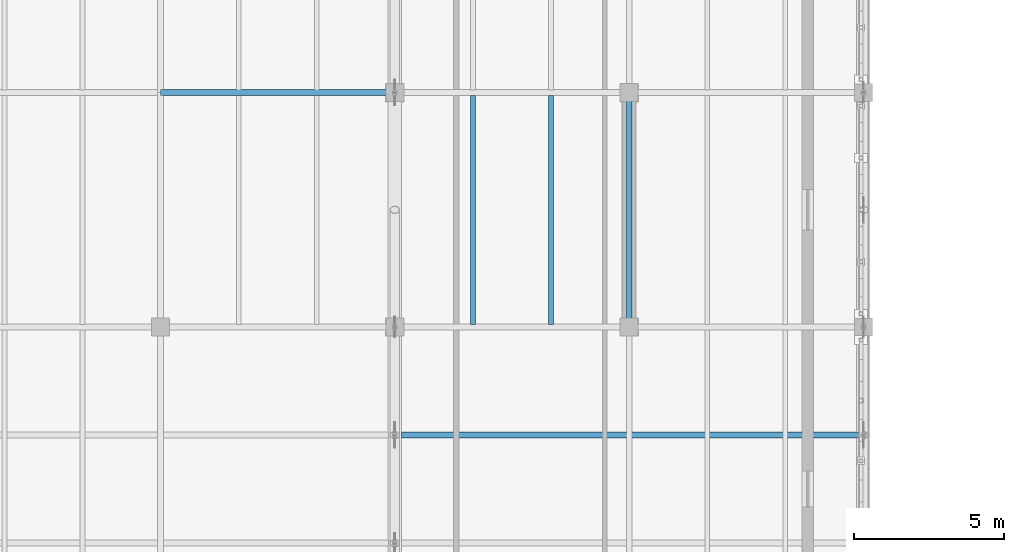
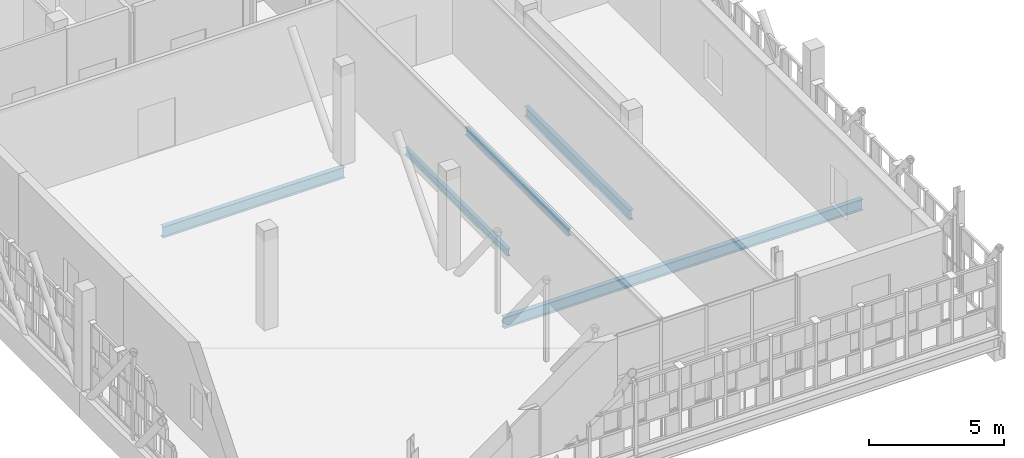
# One storey, part 40 of 119: 5 beams.
"""IFC4 building model written with IfcOpenShell, lengths in metres."""

from ifc_helpers import new_model, si_unit, direction, frame, origin, origin_2d, place, context, subcontext, project, spatial, i_section, extrude, material, material_profile, profile_set, type_object, element, save


model = new_model("IFC4")

# Units and contexts
model_context = context("Model", 3, precision=1e-05, world=origin(), true_north=direction((0.0, 1.0)))
body_context = subcontext(model_context, "Body", "Model", "MODEL_VIEW")
ifc_project = project(units=[si_unit("LENGTHUNIT", "METRE"), si_unit("AREAUNIT", "SQUARE_METRE"), si_unit("VOLUMEUNIT", "CUBIC_METRE"), si_unit("PLANEANGLEUNIT", "RADIAN"), si_unit("MASSUNIT", "GRAM", prefix="KILO")], contexts=[model_context])

# Site, building, storey
site_placement = place(None, origin())
site = spatial("IfcSite", under=ifc_project, at=site_placement, CompositionType="ELEMENT")
building_placement = place(site_placement, origin())
building = spatial("IfcBuilding", under=site, at=building_placement, Name="Celorna Specialist Clinic", CompositionType="ELEMENT")
storey_placement = place(building_placement, frame((0.0, 0.0, 9.60009765625)))
storey = spatial("IfcBuildingStorey", under=building, at=storey_placement, Name="L02", CompositionType="ELEMENT", Elevation=9.60009765625)

# Beams
ifc_material = material(Name="Steel S355", Category="steel")
ifc_material_profile_1 = material_profile(ifc_material, i_section(OverallWidth=0.199951171875, OverallDepth=0.5, WebThickness=0.01025390625, FlangeThickness=0.01611328125, at=origin_2d()), Name="IPE 500")
ifc_profile_set_1 = profile_set([ifc_material_profile_1], Name="Steel S355")
beam_type_1 = type_object("IfcBeamType", Name="BM-08", PredefinedType="BEAM", material=ifc_profile_set_1)
beam_1_placement = place(storey_placement, frame((70.4150390625, 15.89990234375, -0.510009765625), z_axis=(1.0, 0.0, 0.0), x_axis=(0.0, 1.0, 0.0)))
element("IfcBeam", 1, at=beam_1_placement, inside=storey, type_object=beam_type_1, Name="Cantilever floor girder BM-08 #23", PredefinedType="BEAM", context=body_context, shape_type="SweptSolid", body=[
    extrude(i_section(OverallWidth=0.199951171875, OverallDepth=0.5, WebThickness=0.01025390625, FlangeThickness=0.01611328125, at=origin_2d()), origin(), (0.0, 0.0, 1.0), 15.385009765625),
])
beam_2_placement = place(storey_placement, frame((62.39990234375, 27.300048828125, -0.510009765625), z_axis=(1.0, 0.0, 0.0), x_axis=(0.0, 1.0, 0.0)))
element("IfcBeam", 2, at=beam_2_placement, inside=storey, type_object=beam_type_1, Name="Primary girder BM-08 #2114", PredefinedType="BEAM", context=body_context, shape_type="SweptSolid", body=[
    extrude(i_section(OverallWidth=0.199951171875, OverallDepth=0.5, WebThickness=0.01025390625, FlangeThickness=0.01611328125, at=origin_2d()), origin(), (0.0, 0.0, 1.0), 7.800048828125),
])
ifc_material_profile_2 = material_profile(ifc_material, i_section(OverallWidth=0.18994140625, OverallDepth=0.449951171875, WebThickness=0.009521484375, FlangeThickness=0.0146484375, at=origin_2d()), Name="IPE 450")
ifc_profile_set_2 = profile_set([ifc_material_profile_2], Name="Steel S355")
beam_type_2 = type_object("IfcBeamType", Name="BM-09", PredefinedType="BEAM", material=ifc_profile_set_2)
beam_3_placement = place(storey_placement, frame((78.0, 19.5, -0.485107421875), z_axis=(0.0, 1.0, 0.0), x_axis=(-1.0, 0.0, 0.0)))
element("IfcBeam", 3, at=beam_3_placement, inside=storey, type_object=beam_type_2, Name="Transverse girder BM-09 #2129", PredefinedType="BEAM", context=body_context, shape_type="SweptSolid", body=[
    extrude(i_section(OverallWidth=0.18994140625, OverallDepth=0.449951171875, WebThickness=0.009521484375, FlangeThickness=0.0146484375, at=origin_2d()), origin(), (0.0, 0.0, 1.0), 7.800048828125),
])
ifc_material_profile_3 = material_profile(ifc_material, i_section(OverallWidth=0.159912109375, OverallDepth=0.330078125, WebThickness=0.007568359375, FlangeThickness=0.011474609375, at=origin_2d()), Name="IPE 330")
ifc_profile_set_3 = profile_set([ifc_material_profile_3], Name="Steel S355")
beam_type_3 = type_object("IfcBeamType", Name="BM-12", PredefinedType="JOIST", material=ifc_profile_set_3)
for number, where, z_axis, x_axis, name in (
    (4, (72.800048828125, 19.587890625, -0.425048828125), (0.0, 1.0, 0.0), (-1.0, 0.0, 0.0), "Secondary floor joist BM-12 #2146"),
    (5, (75.39990234375, 19.587890625, -0.425048828125), (0.0, 1.0, 0.0), (-1.0, 0.0, 0.0), "Secondary floor joist BM-12 #2147"),
):
    element("IfcBeam", number, at=place(storey_placement, frame(where, z_axis=z_axis, x_axis=x_axis)), inside=storey, type_object=beam_type_3, Name=name, PredefinedType="JOIST", context=body_context, shape_type="SweptSolid", body=[
        extrude(i_section(OverallWidth=0.159912109375, OverallDepth=0.330078125, WebThickness=0.007568359375, FlangeThickness=0.011474609375, at=origin_2d()), origin(), (0.0, 0.0, 1.0), 7.6240234375),
    ])

save(model, "model.ifc")
